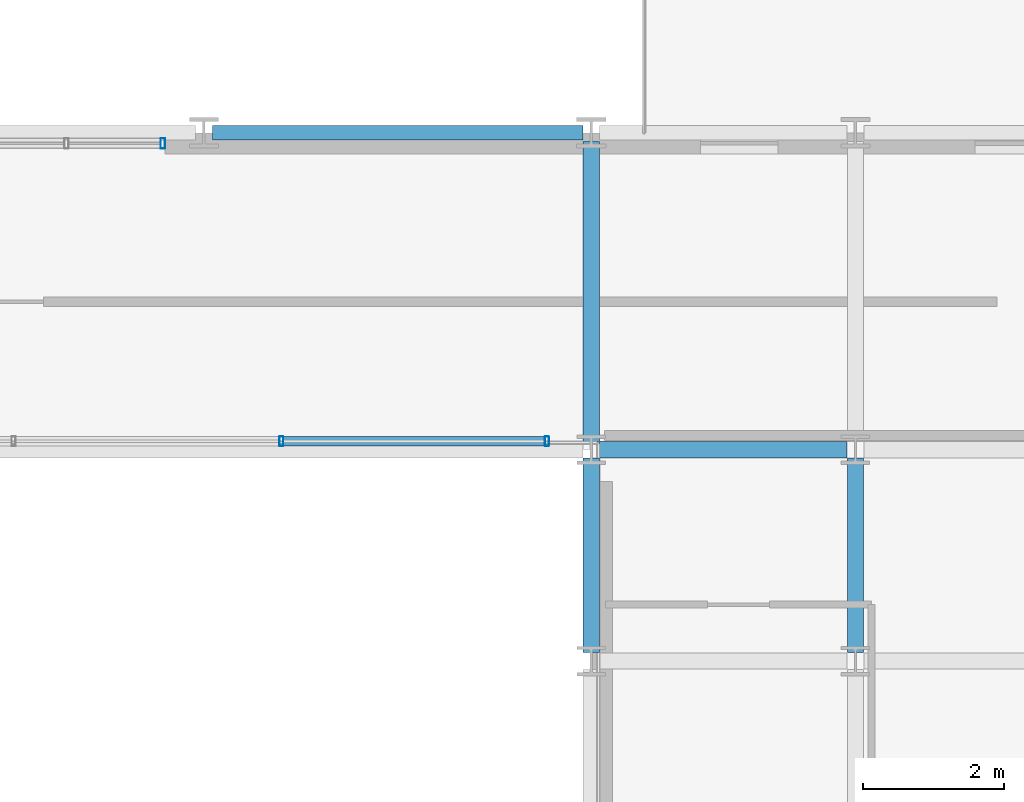
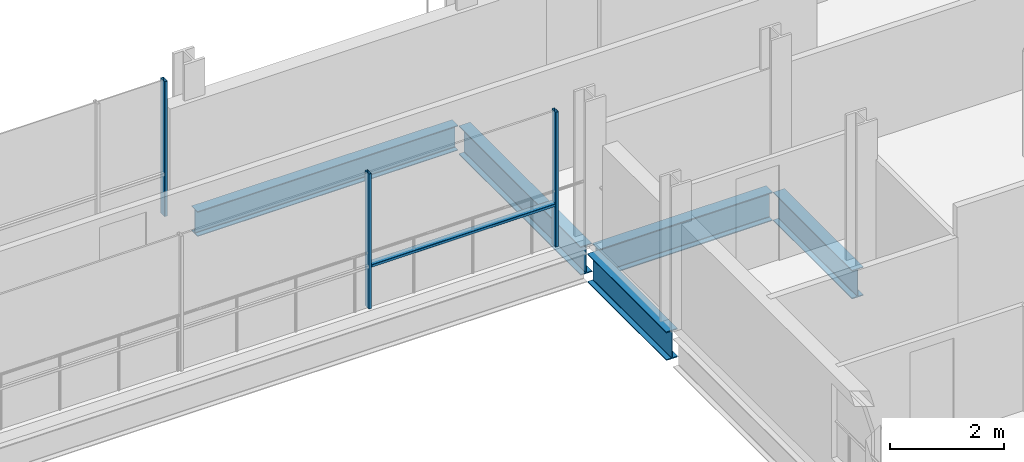
# One storey, part 17 of 38: 5 beams, 4 members, 2 elements without a shape of their own.
"""IFC4 building model written with IfcOpenShell, lengths in metres."""

from ifc_helpers import new_model, si_unit, direction, frame, origin, origin_2d, place, context, subcontext, project, spatial, hollow_rectangle, i_section, extrude, material, layer, layer_set, material_profile, profile_set, type_object, element, aggregate, save


model = new_model("IFC4")

# Units and contexts
model_context = context("Model", 3, precision=1e-05, world=origin(), true_north=direction((0.0, 1.0)))
body_context = subcontext(model_context, "Body", "Model", "MODEL_VIEW")
ifc_project = project(units=[si_unit("LENGTHUNIT", "METRE"), si_unit("AREAUNIT", "SQUARE_METRE"), si_unit("VOLUMEUNIT", "CUBIC_METRE"), si_unit("PLANEANGLEUNIT", "RADIAN"), si_unit("MASSUNIT", "GRAM", prefix="KILO")], contexts=[model_context])

# Site, building, storey
site_placement = place(None, origin())
site = spatial("IfcSite", under=ifc_project, at=site_placement, CompositionType="ELEMENT")
building_placement = place(site_placement, origin())
building = spatial("IfcBuilding", under=site, at=building_placement, Name="Brevholm Reach", CompositionType="ELEMENT")
storey_placement = place(building_placement, frame((0.0, 0.0, 122.10009765625)))
storey = spatial("IfcBuildingStorey", under=building, at=storey_placement, Name="L36", CompositionType="ELEMENT", Elevation=122.10009765625)

# Beams
ifc_material_1 = material(Name="Structural Steel S355J2", Category="steel")
ifc_material_profile_1 = material_profile(ifc_material_1, i_section(OverallWidth=0.209228515625, OverallDepth=0.533203125, WebThickness=0.010009765625, FlangeThickness=0.015625, FilletRadius=0.0126953125, at=origin_2d()), Name="UKB 533x210x92")
ifc_profile_set_1 = profile_set([ifc_material_profile_1], Name="Structural Steel S355J2")
beam_type_1 = type_object("IfcBeamType", Name="BM-SP533", PredefinedType="SPANDREL", material=ifc_profile_set_1)
beam_1_placement = place(storey_placement, frame((32.8701171875, 31.0, -0.486572265625), z_axis=(1.0, 0.0, 0.0), x_axis=(0.0, 1.0, 0.0)))
element("IfcBeam", 1, at=beam_1_placement, inside=storey, type_object=beam_type_1, Name="L36 SP-02 Framing Beam", PredefinedType="SPANDREL", context=body_context, shape_type="SweptSolid", body=[
    extrude(i_section(OverallWidth=0.209228515625, OverallDepth=0.533203125, WebThickness=0.010009765625, FlangeThickness=0.015625, FilletRadius=0.0126953125, at=origin_2d()), origin(), (0.0, 0.0, 1.0), 5.259765625),
])
ifc_material_2 = material(Name="Structural Steel S355J2", Category="steel")
ifc_material_profile_2 = material_profile(ifc_material_2, i_section(OverallWidth=0.22900390625, OverallDepth=0.6123046875, WebThickness=0.011962890625, FlangeThickness=0.01953125, FilletRadius=0.0126953125, at=origin_2d()), Name="UKB 610x229x125")
ifc_profile_set_2 = profile_set([ifc_material_profile_2], Name="Structural Steel S355J2")
beam_type_2 = type_object("IfcBeamType", Name="BM-SP610", PredefinedType="SPANDREL", material=ifc_profile_set_2)
beam_2_placement = place(storey_placement, frame((38.3701171875, 26.5, -0.526123046875), z_axis=(1.0, 0.0, 0.0), x_axis=(0.0, 1.0, 0.0)))
element("IfcBeam", 2, at=beam_2_placement, inside=storey, type_object=beam_type_2, Name="L36 SP-01 Framing Beam", PredefinedType="SPANDREL", context=body_context, shape_type="SweptSolid", body=[
    extrude(i_section(OverallWidth=0.22900390625, OverallDepth=0.6123046875, WebThickness=0.011962890625, FlangeThickness=0.01953125, FilletRadius=0.0126953125, at=origin_2d()), origin(), (0.0, 0.0, 1.0), 3.509765625),
])
beam_3_placement = place(storey_placement, frame((38.25, 23.6201171875, -0.526123046875), z_axis=(0.0, 1.0, 0.0), x_axis=(-1.0, 0.0, 0.0)))
element("IfcBeam", 3, at=beam_3_placement, inside=storey, type_object=beam_type_2, Name="L36 SP-01 Framing Beam", PredefinedType="SPANDREL", context=body_context, shape_type="SweptSolid", body=[
    extrude(i_section(OverallWidth=0.22900390625, OverallDepth=0.6123046875, WebThickness=0.011962890625, FlangeThickness=0.01953125, FilletRadius=0.0126953125, at=origin_2d()), origin(), (0.0, 0.0, 1.0), 2.759765625),
])
beam_4_placement = place(storey_placement, frame((38.25, 26.6201171875, -0.526123046875), z_axis=(0.0, 1.0, 0.0), x_axis=(-1.0, 0.0, 0.0)))
element("IfcBeam", 4, at=beam_4_placement, inside=storey, type_object=beam_type_2, Name="L36 SP-01 Framing Beam", PredefinedType="SPANDREL", context=body_context, shape_type="SweptSolid", body=[
    extrude(i_section(OverallWidth=0.22900390625, OverallDepth=0.6123046875, WebThickness=0.011962890625, FlangeThickness=0.01953125, FilletRadius=0.0126953125, at=origin_2d()), origin(), (0.0, 0.0, 1.0), 4.259765625),
])
beam_5_placement = place(storey_placement, frame((42.0, 23.6201171875, -0.526123046875), z_axis=(0.0, 1.0, 0.0), x_axis=(-1.0, 0.0, 0.0)))
element("IfcBeam", 5, at=beam_5_placement, inside=storey, type_object=beam_type_2, Name="L36 SP-01 Framing Beam", PredefinedType="SPANDREL", context=body_context, shape_type="SweptSolid", body=[
    extrude(i_section(OverallWidth=0.22900390625, OverallDepth=0.6123046875, WebThickness=0.011962890625, FlangeThickness=0.01953125, FilletRadius=0.0126953125, at=origin_2d()), origin(), (0.0, 0.0, 1.0), 2.759765625),
])

# Curtain wall, members
ifc_material_3 = material(Name="Dark Anodised Aluminium 6063-T6 and Solar-Control Glass", Category="aluminium")
ifc_layer_1 = layer(ifc_material_3, 0.139892578125)
ifc_layer_set_1 = layer_set([ifc_layer_1], Name="Dark Anodised Aluminium 6063-T6 and Solar-Control Glass")
curtain_wall_type_1 = type_object("IfcCurtainWallType", Name="CW-02", PredefinedType="NOTDEFINED", material=ifc_layer_set_1)
curtain_wall_1_placement = place(storey_placement, origin())
curtain_wall_1 = element("IfcCurtainWall", 6, at=curtain_wall_1_placement, inside=storey, type_object=curtain_wall_type_1, Name="L36 Curtain Wall CW-02", PredefinedType="NOTDEFINED")
ifc_material_4 = material(Name="Dark Anodised Aluminium 6063-T6", Category="aluminium")
ifc_material_profile_3 = material_profile(ifc_material_4, hollow_rectangle(XDim=0.06005859375, YDim=0.139892578125, WallThickness=0.0048828125, InnerFilletRadius=0.0048828125, OuterFilletRadius=0.010009765625, at=origin_2d()), Name="RHS 140x60x5")
ifc_profile_set_3 = profile_set([ifc_material_profile_3], Name="Dark Anodised Aluminium 6063-T6")
member_type_1 = type_object("IfcMemberType", Name="CWM-140", PredefinedType="MULLION", material=ifc_profile_set_3)
member_1_placement = place(storey_placement, frame((37.6201171875, 26.6201171875, 0.0), z_axis=(0.0, 0.0, 1.0), x_axis=(-1.0, 0.0, 0.0)))
member_1 = element("IfcMember", 7, at=member_1_placement, type_object=member_type_1, Name="CM-140 Mullion 1", PredefinedType="MULLION", context=body_context, shape_type="SweptSolid", body=[
    extrude(hollow_rectangle(XDim=0.06005859375, YDim=0.139892578125, WallThickness=0.0048828125, InnerFilletRadius=0.0048828125, OuterFilletRadius=0.010009765625, at=origin_2d()), origin(), (0.0, 0.0, 1.0), 2.8798828125),
])
member_2_placement = place(storey_placement, frame((33.85009765625, 26.6201171875, 0.0), z_axis=(0.0, 0.0, 1.0), x_axis=(-1.0, 0.0, 0.0)))
member_2 = element("IfcMember", 8, at=member_2_placement, type_object=member_type_1, Name="CM-140 Mullion 2", PredefinedType="MULLION", context=body_context, shape_type="SweptSolid", body=[
    extrude(hollow_rectangle(XDim=0.06005859375, YDim=0.139892578125, WallThickness=0.0048828125, InnerFilletRadius=0.0048828125, OuterFilletRadius=0.010009765625, at=origin_2d()), origin(), (0.0, 0.0, 1.0), 2.8798828125),
])

# Curtain wall, member
ifc_material_5 = material(Name="Dark Anodised Aluminium 6063-T6 and Solar-Control Glass", Category="aluminium")
ifc_layer_2 = layer(ifc_material_5, 0.14990234375)
ifc_layer_set_2 = layer_set([ifc_layer_2], Name="Dark Anodised Aluminium 6063-T6 and Solar-Control Glass")
curtain_wall_type_2 = type_object("IfcCurtainWallType", Name="CW-01", PredefinedType="NOTDEFINED", material=ifc_layer_set_2)
curtain_wall_2_placement = place(storey_placement, origin())
curtain_wall_2 = element("IfcCurtainWall", 9, at=curtain_wall_2_placement, inside=storey, type_object=curtain_wall_type_2, Name="L36 Curtain Wall CW-01", PredefinedType="NOTDEFINED")
ifc_material_6 = material(Name="Dark Anodised Aluminium 6063-T6", Category="aluminium")
ifc_material_profile_4 = material_profile(ifc_material_6, hollow_rectangle(XDim=0.06494140625, YDim=0.14990234375, WallThickness=0.0048828125, InnerFilletRadius=0.0048828125, OuterFilletRadius=0.010009765625, at=origin_2d()), Name="RHS 150x65x5")
ifc_profile_set_4 = profile_set([ifc_material_profile_4], Name="Dark Anodised Aluminium 6063-T6")
member_type_2 = type_object("IfcMemberType", Name="CWM-150", PredefinedType="MULLION", material=ifc_profile_set_4)
member_3_placement = place(storey_placement, frame((32.16748046875, 30.85009765625, 0.0), z_axis=(0.0, 0.0, 1.0), x_axis=(1.0, 0.0, 0.0)))
member_3 = element("IfcMember", 10, at=member_3_placement, type_object=member_type_2, Name="CM-150 Mullion 3", PredefinedType="MULLION", context=body_context, shape_type="SweptSolid", body=[
    extrude(hollow_rectangle(XDim=0.06494140625, YDim=0.14990234375, WallThickness=0.0048828125, InnerFilletRadius=0.0048828125, OuterFilletRadius=0.010009765625, at=origin_2d()), origin(), (0.0, 0.0, 1.0), 2.8798828125),
])
aggregate(curtain_wall_2, [member_3])

# Member
ifc_material_7 = material(Name="Dark Anodised Aluminium 6063-T6", Category="aluminium")
ifc_material_profile_5 = material_profile(ifc_material_7, hollow_rectangle(XDim=0.06005859375, YDim=0.139892578125, WallThickness=0.0048828125, InnerFilletRadius=0.0048828125, OuterFilletRadius=0.010009765625, at=origin_2d()), Name="RHS 140x60x5")
ifc_profile_set_5 = profile_set([ifc_material_profile_5], Name="Dark Anodised Aluminium 6063-T6")
member_type_3 = type_object("IfcMemberType", Name="CWT-140", PredefinedType="NOTDEFINED", material=ifc_profile_set_5)
member_4_placement = place(storey_placement, frame((37.590087890625, 26.6201171875, 0.89990234375), z_axis=(-1.0, 0.0, 0.0), x_axis=(0.0, 0.0, 1.0)))
member_4 = element("IfcMember", 11, at=member_4_placement, type_object=member_type_3, Name="CT-140 Transom 1.1", ObjectType="TRANSOM", PredefinedType="USERDEFINED", context=body_context, shape_type="SweptSolid", body=[
    extrude(hollow_rectangle(XDim=0.06005859375, YDim=0.139892578125, WallThickness=0.0048828125, InnerFilletRadius=0.0048828125, OuterFilletRadius=0.010009765625, at=origin_2d()), origin(), (0.0, 0.0, 1.0), 3.710205078125),
])

aggregate(curtain_wall_1, [member_1, member_2, member_4])

save(model, "model.ifc")
